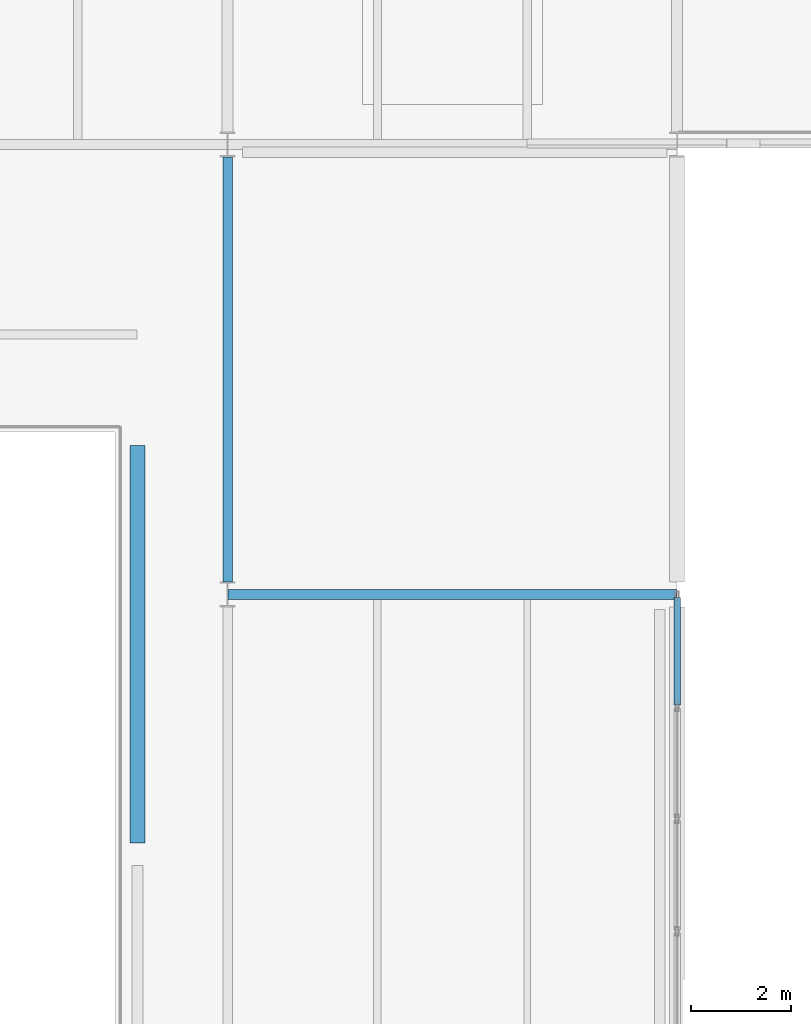
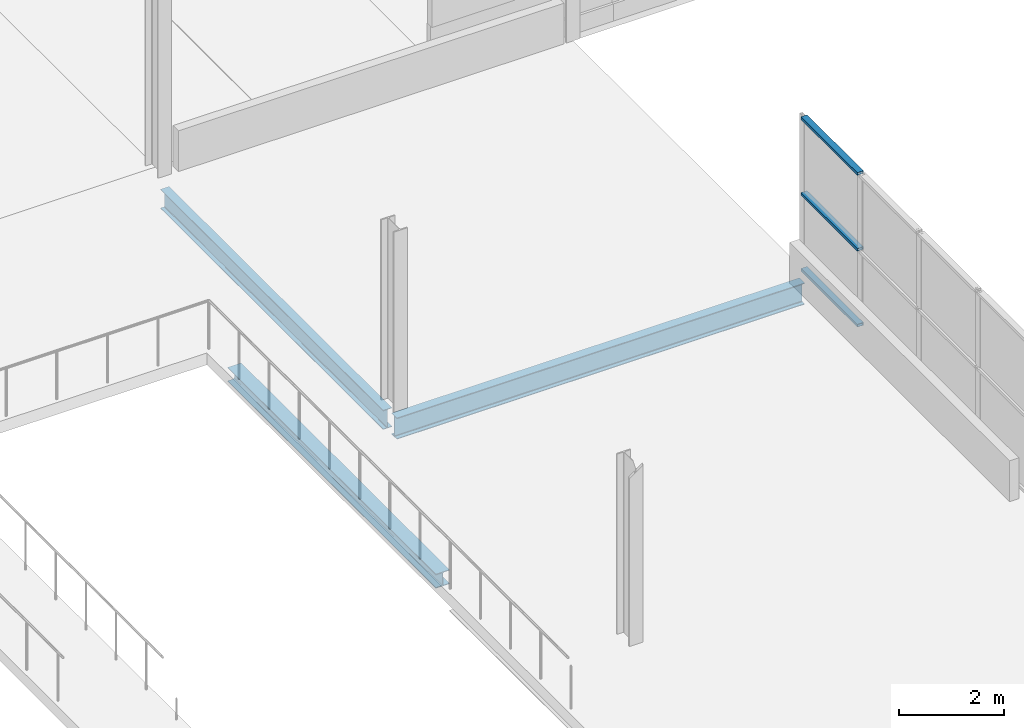
# One storey, part 32 of 88: 3 beams, 3 members, 1 element without a shape of its own.
"""IFC4 building model written with IfcOpenShell, lengths in metres."""

from ifc_helpers import new_model, si_unit, direction, frame, origin, origin_2d, place, context, subcontext, project, spatial, hollow_rectangle, i_section, extrude, material, layer, layer_set, material_profile, profile_set, type_object, element, aggregate, save


model = new_model("IFC4")

# Units and contexts
model_context = context("Model", 3, precision=1e-05, world=origin(), true_north=direction((0.0, 1.0)))
body_context = subcontext(model_context, "Body", "Model", "MODEL_VIEW")
ifc_project = project(units=[si_unit("LENGTHUNIT", "METRE"), si_unit("AREAUNIT", "SQUARE_METRE"), si_unit("VOLUMEUNIT", "CUBIC_METRE"), si_unit("PLANEANGLEUNIT", "RADIAN"), si_unit("MASSUNIT", "GRAM", prefix="KILO")], contexts=[model_context])

# Site, building, storey
site_placement = place(None, origin())
site = spatial("IfcSite", under=ifc_project, at=site_placement, CompositionType="ELEMENT")
building_placement = place(site_placement, origin())
building = spatial("IfcBuilding", under=site, at=building_placement, Name="Deido Ridge Mobility Hub", CompositionType="ELEMENT")
storey_placement = place(building_placement, frame((0.0, 0.0, 16.800048828125)))
storey = spatial("IfcBuildingStorey", under=building, at=storey_placement, Name="L04", CompositionType="ELEMENT", Elevation=16.800048828125)

# Beams
ifc_material_1 = material(Name="Steel S355J2 EN 10025-2", Category="steel")
ifc_material_profile_1 = material_profile(ifc_material_1, i_section(OverallWidth=0.300048828125, OverallDepth=0.330078125, WebThickness=0.009521484375, FlangeThickness=0.0166015625, FilletRadius=0.027099609375, at=origin_2d()), Name="HEA 340")
ifc_profile_set_1 = profile_set([ifc_material_profile_1], Name="Steel S355J2 EN 10025-2")
beam_type_1 = type_object("IfcBeamType", Name="BM-HEA340", PredefinedType="BEAM", material=ifc_profile_set_1)
beam_1_placement = place(storey_placement, frame((97.199951171875, 67.02490234375, -0.43994140625), z_axis=(0.0, 1.0, 0.0), x_axis=(-1.0, 0.0, 0.0)))
element("IfcBeam", 1, at=beam_1_placement, inside=storey, type_object=beam_type_1, Name="Floor beam B6", PredefinedType="BEAM", context=body_context, shape_type="SweptSolid", body=[
    extrude(i_section(OverallWidth=0.300048828125, OverallDepth=0.330078125, WebThickness=0.009521484375, FlangeThickness=0.0166015625, FilletRadius=0.027099609375, at=origin_2d()), origin(), (0.0, 0.0, 1.0), 7.9501953125),
])
ifc_material_profile_2 = material_profile(ifc_material_1, i_section(OverallWidth=0.18994140625, OverallDepth=0.449951171875, WebThickness=0.009521484375, FlangeThickness=0.0146484375, FilletRadius=0.02099609375, at=origin_2d()), Name="IPE 450")
ifc_profile_set_2 = profile_set([ifc_material_profile_2], Name="Steel S355J2 EN 10025-2")
beam_type_2 = type_object("IfcBeamType", Name="BM-IPE450", PredefinedType="BEAM", material=ifc_profile_set_2)
beam_2_placement = place(storey_placement, frame((99.0, 72.25, -0.5), z_axis=(0.0, 1.0, 0.0), x_axis=(-1.0, 0.0, 0.0)))
element("IfcBeam", 2, at=beam_2_placement, inside=storey, type_object=beam_type_2, Name="Floor beam B4", PredefinedType="BEAM", context=body_context, shape_type="SweptSolid", body=[
    extrude(i_section(OverallWidth=0.18994140625, OverallDepth=0.449951171875, WebThickness=0.009521484375, FlangeThickness=0.0146484375, FilletRadius=0.02099609375, at=origin_2d()), origin(), (0.0, 0.0, 1.0), 8.5),
])
ifc_material_profile_3 = material_profile(ifc_material_1, i_section(OverallWidth=0.199951171875, OverallDepth=0.5, WebThickness=0.01025390625, FlangeThickness=0.01611328125, FilletRadius=0.02099609375, at=origin_2d()), Name="IPE 500")
ifc_profile_set_3 = profile_set([ifc_material_profile_3], Name="Steel S355J2 EN 10025-2")
beam_type_3 = type_object("IfcBeamType", Name="BM-IPE500", PredefinedType="BEAM", material=ifc_profile_set_3)
beam_3_placement = place(storey_placement, frame((99.007080078125, 72.0, -0.525146484375), z_axis=(1.0, 0.0, 0.0), x_axis=(0.0, 1.0, 0.0)))
element("IfcBeam", 3, at=beam_3_placement, inside=storey, type_object=beam_type_3, Name="Floor beam B3", PredefinedType="BEAM", context=body_context, shape_type="SweptSolid", body=[
    extrude(i_section(OverallWidth=0.199951171875, OverallDepth=0.5, WebThickness=0.01025390625, FlangeThickness=0.01611328125, FilletRadius=0.02099609375, at=origin_2d()), origin(), (0.0, 0.0, 1.0), 8.98583984375),
])

# Curtain wall, members
ifc_material_2 = material(Name="Anodised aluminium EN AW-6063 T6", Category="aluminium")
ifc_layer = layer(ifc_material_2, 0.2099609375, Name="Anodised aluminium EN AW-6063 T6")
ifc_layer_set = layer_set([ifc_layer], Name="Anodised aluminium EN AW-6063 T6")
curtain_wall_type = type_object("IfcCurtainWallType", Name="CW-UF-4", PredefinedType="USERDEFINED", material=ifc_layer_set)
curtain_wall_placement = place(storey_placement, origin())
curtain_wall = element("IfcCurtainWall", 4, at=curtain_wall_placement, inside=storey, type_object=curtain_wall_type, Name="Unitised curtain wall CW4", ObjectType="UNITISED FACADE", PredefinedType="USERDEFINED")
ifc_material_profile_4 = material_profile(ifc_material_2, hollow_rectangle(XDim=0.135009765625, YDim=0.06494140625, WallThickness=0.00390625, at=origin_2d()), Name="RHS 135x65x4")
ifc_profile_set_4 = profile_set([ifc_material_profile_4], Name="Anodised aluminium EN AW-6063 T6")
member_type = type_object("IfcMemberType", Name="MEM-TRN-135X65", PredefinedType="USERDEFINED", material=ifc_profile_set_4)
member_1_placement = place(storey_placement, frame((108.0, 69.782470703125, 0.032470703125), z_axis=(0.0, 1.0, 0.0), x_axis=(-1.0, 0.0, 0.0)))
member_1 = element("IfcMember", 5, at=member_1_placement, type_object=member_type, Name="CW4 transom 4.1", ObjectType="TRANSOM", PredefinedType="USERDEFINED", context=body_context, shape_type="SweptSolid", body=[
    extrude(hollow_rectangle(XDim=0.135009765625, YDim=0.06494140625, WallThickness=0.00390625, at=origin_2d()), origin(), (0.0, 0.0, 1.0), 2.152587890625),
])
member_2_placement = place(storey_placement, frame((108.0, 69.782470703125, 1.800048828125), z_axis=(0.0, 1.0, 0.0), x_axis=(-1.0, 0.0, 0.0)))
member_2 = element("IfcMember", 6, at=member_2_placement, type_object=member_type, Name="CW4 transom 4.2", ObjectType="TRANSOM", PredefinedType="USERDEFINED", context=body_context, shape_type="SweptSolid", body=[
    extrude(hollow_rectangle(XDim=0.135009765625, YDim=0.06494140625, WallThickness=0.00390625, at=origin_2d()), origin(), (0.0, 0.0, 1.0), 2.152587890625),
])
member_3_placement = place(storey_placement, frame((108.0, 69.782470703125, 3.5673828125), z_axis=(0.0, 1.0, 0.0), x_axis=(-1.0, 0.0, 0.0)))
member_3 = element("IfcMember", 7, at=member_3_placement, type_object=member_type, Name="CW4 transom 4.3", ObjectType="TRANSOM", PredefinedType="USERDEFINED", context=body_context, shape_type="SweptSolid", body=[
    extrude(hollow_rectangle(XDim=0.135009765625, YDim=0.06494140625, WallThickness=0.00390625, at=origin_2d()), origin(), (0.0, 0.0, 1.0), 2.152587890625),
])
aggregate(curtain_wall, [member_1, member_2, member_3])

save(model, "model.ifc")
